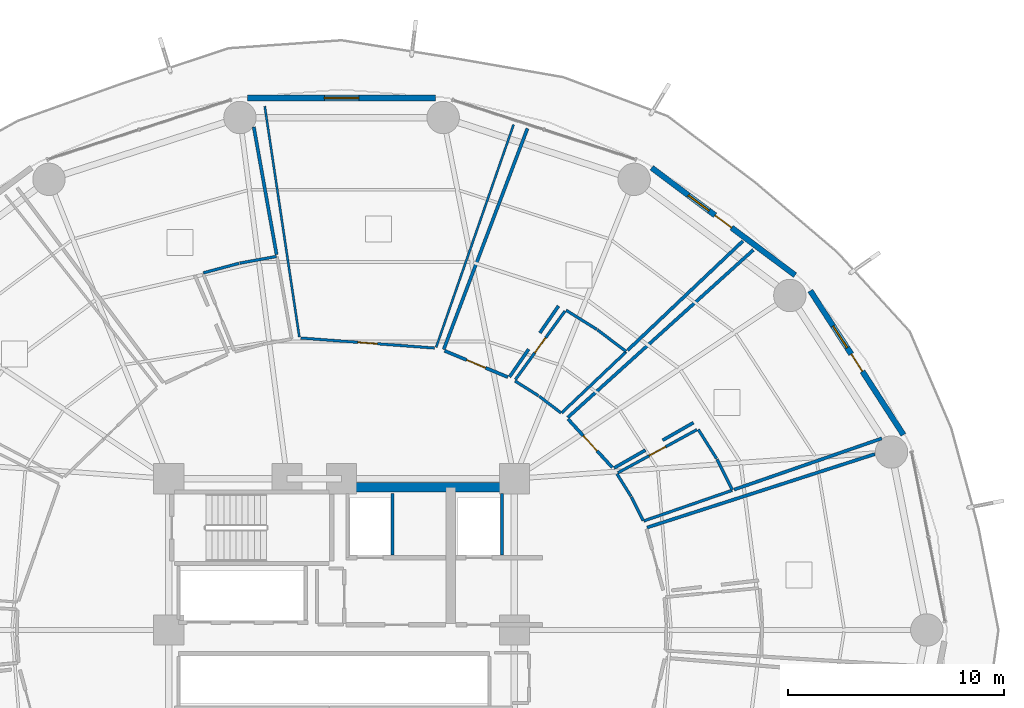
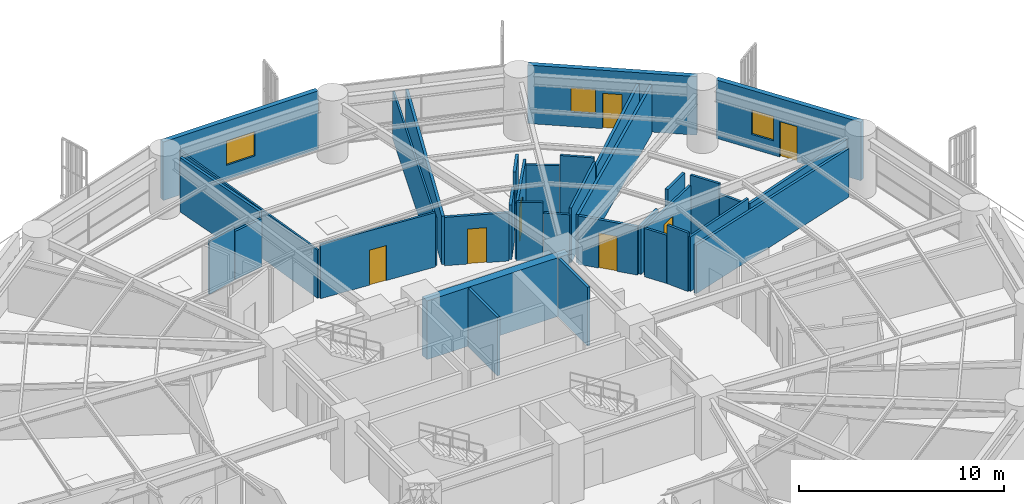
# One storey, part 25 of 31: 35 walls, 7 doors, 3 windows, 10 openings.
"""IFC4 building model written with IfcOpenShell, lengths in metres."""

from ifc_helpers import new_model, si_unit, direction, frame, frame_2d, origin, place, context, subcontext, project, spatial, rectangle, extrude, material, layer, layer_set, type_object, element, fill, save


model = new_model("IFC4")

# Units and contexts
model_context = context("Model", 3, precision=1e-05, world=origin(), true_north=direction((0.0, 1.0)))
body_context = subcontext(model_context, "Body", "Model", "MODEL_VIEW")
ifc_project = project(units=[si_unit("LENGTHUNIT", "METRE"), si_unit("AREAUNIT", "SQUARE_METRE"), si_unit("VOLUMEUNIT", "CUBIC_METRE"), si_unit("PLANEANGLEUNIT", "RADIAN"), si_unit("MASSUNIT", "GRAM", prefix="KILO")], contexts=[model_context])

# Site, building, storey
site_placement = place(None, origin())
site = spatial("IfcSite", under=ifc_project, at=site_placement, CompositionType="ELEMENT")
building_placement = place(site_placement, origin())
building = spatial("IfcBuilding", under=site, at=building_placement, Name="Kelanora Arch Commons", CompositionType="ELEMENT")
storey_placement = place(building_placement, frame((0.0, 0.0, 63.75)))
storey = spatial("IfcBuildingStorey", under=building, at=storey_placement, Name="L16", CompositionType="ELEMENT", Elevation=63.75)

# Walls
ifc_material_1 = material(Name="Autoclaved aerated concrete blockwork with fire plaster", Category="masonry")
ifc_layer_1 = layer(ifc_material_1, 0.14990234375)
ifc_layer_set_1 = layer_set([ifc_layer_1], Name="Autoclaved aerated concrete blockwork with fire plaster")
wall_type_1 = type_object("IfcWallType", Name="W-COMP-150", PredefinedType="PARTITIONING", material=ifc_layer_set_1)
for number, where, z_axis, x_axis, name in (
    (1, (76.360107421875, 61.47998046875, 0.0), (0.0, 0.0, 1.0), (0.0, 1.0, 0.0), "Firefighting Lift 1 East Shaft Wall L16"),
    (2, (81.419921875, 61.47998046875, 0.0), (0.0, 0.0, 1.0), (0.0, 1.0, 0.0), "Firefighting Lift 2 East Shaft Wall L16"),
):
    element("IfcWall", number, at=place(storey_placement, frame(where, z_axis=z_axis, x_axis=x_axis)), inside=storey, type_object=wall_type_1, Name=name, PredefinedType="PARTITIONING", context=body_context, shape_type="SweptSolid", body=[
        extrude(rectangle(XDim=2.840087890625, YDim=0.14990234375, at=frame_2d((1.419921875, 0.0))), origin(), (0.0, 0.0, 1.0), 3.47998046875),
    ])

# Wall, opening, door
wall_1_placement = place(storey_placement, frame((86.529541015625, 65.517333984375, 0.0), z_axis=(0.0, 0.0, 1.0), x_axis=(-0.674433052632, 0.738336005839, 0.0)))
wall_1 = element("IfcWall", 3, at=wall_1_placement, inside=storey, type_object=wall_type_1, Name="Co-Living Studio L16-01 Entry Partition", PredefinedType="PARTITIONING", context=body_context, shape_type="SweptSolid", body=[
    extrude(rectangle(XDim=3.041015625, YDim=0.14990234375, at=frame_2d((1.5205078125, 0.0))), origin(), (0.0, 0.0, 1.0), 2.875),
])
opening_1_placement = place(wall_1_placement, frame((1.0458984375, 0.0, 0.0)))
opening_1 = element("IfcOpeningElement", 4, at=opening_1_placement, cuts=wall_1, Name="Opening D-CLU1", PredefinedType="OPENING", context=body_context, shape_type="SweptSolid", body=[
    extrude(rectangle(XDim=0.949951171875, YDim=2.080078125, at=frame_2d((0.47509765625, 1.0400390625))), frame((0.0, 0.0849609375, 0.0), z_axis=(0.0, -1.0, 0.0), x_axis=(1.0, 0.0, 0.0)), (0.0, 0.0, 1.0), 0.169921875),
])
ifc_material_2 = material(Name="Solid-core acoustic timber cluster entry fire door", Category="wood")
door_type_1 = type_object("IfcDoorType", Name="D-CLU-95", OperationType="NOTDEFINED", PredefinedType="DOOR", material=ifc_material_2)
door_1_placement = place(opening_1_placement, origin())
door_1 = element("IfcDoor", 5, at=door_1_placement, inside=storey, type_object=door_type_1, Name="Co-Living Studio L16-01 Door", OperationType="SINGLE_SWING_LEFT", OverallHeight=2.080078125, OverallWidth=0.949951171875, PredefinedType="DOOR", context=body_context, shape_type="SweptSolid", body=[
    extrude(rectangle(XDim=0.949951171875, YDim=2.080078125, at=frame_2d((0.47509765625, 1.0400390625))), frame((0.0, 0.02490234375, 0.0), z_axis=(0.0, -1.0, 0.0), x_axis=(1.0, 0.0, 0.0)), (0.0, 0.0, 1.0), 0.050048828125),
])
fill(opening_1, door_1)

wall_2_placement = place(storey_placement, frame((81.693603515625, 69.7021484375, 0.0), z_axis=(0.0, 0.0, 1.0), x_axis=(-0.923245473314, 0.384210614124, 0.0)))
wall_2 = element("IfcWall", 6, at=wall_2_placement, inside=storey, type_object=wall_type_1, Name="Co-Living Studio L16-02 Entry Partition", PredefinedType="PARTITIONING", context=body_context, shape_type="SweptSolid", body=[
    extrude(rectangle(XDim=3.16943359375, YDim=0.14990234375, at=frame_2d((1.584716796875, 0.0))), origin(), (0.0, 0.0, 1.0), 2.875),
])
opening_2_placement = place(wall_2_placement, frame((1.110107421875, 0.0, 0.0)))
opening_2 = element("IfcOpeningElement", 7, at=opening_2_placement, cuts=wall_2, Name="Opening D-CLU1", PredefinedType="OPENING", context=body_context, shape_type="SweptSolid", body=[
    extrude(rectangle(XDim=0.949951171875, YDim=2.080078125, at=frame_2d((0.47509765625, 1.0400390625))), frame((0.0, 0.0849609375, 0.0), z_axis=(0.0, -1.0, 0.0), x_axis=(1.0, 0.0, 0.0)), (0.0, 0.0, 1.0), 0.169921875),
])
door_2_placement = place(opening_2_placement, origin())
door_2 = element("IfcDoor", 8, at=door_2_placement, inside=storey, type_object=door_type_1, Name="Co-Living Studio L16-02 Door", OperationType="SINGLE_SWING_LEFT", OverallHeight=2.080078125, OverallWidth=0.949951171875, PredefinedType="DOOR", context=body_context, shape_type="SweptSolid", body=[
    extrude(rectangle(XDim=0.949951171875, YDim=2.080078125, at=frame_2d((0.47509765625, 1.0400390625))), frame((0.0, 0.02490234375, 0.0), z_axis=(0.0, -1.0, 0.0), x_axis=(1.0, 0.0, 0.0)), (0.0, 0.0, 1.0), 0.050048828125),
])
fill(opening_2, door_2)

# Walls
wall_3_placement = place(storey_placement, frame((84.4677734375, 67.833740234375, 0.0), z_axis=(0.0, 0.0, 1.0), x_axis=(0.742191353367, 0.670188029577, 0.0)))
element("IfcWall", 9, at=wall_3_placement, inside=storey, type_object=wall_type_1, Name="Co-Living Studio L16-01 Enclosure Partition 2", PredefinedType="PARTITIONING", context=body_context, shape_type="SweptSolid", body=[
    extrude(rectangle(XDim=11.569091796875, YDim=0.14990234375, at=frame_2d((5.78466796875, 0.0))), origin(), (0.0, 0.0, 1.0), 2.875),
])
wall_4_placement = place(storey_placement, frame((98.992431640625, 66.863525390625, 0.0), z_axis=(0.0, 0.0, 1.0), x_axis=(-0.944826855148, -0.327570166212, 0.0)))
element("IfcWall", 10, at=wall_4_placement, inside=storey, type_object=wall_type_1, Name="Co-Living Studio L16-01 Enclosure Partition 5", PredefinedType="PARTITIONING", context=body_context, shape_type="SweptSolid", body=[
    extrude(rectangle(XDim=7.224365234375, YDim=0.14990234375, at=frame_2d((3.6123046875, 0.0))), origin(), (0.0, 0.0, 1.0), 2.875),
])
wall_5_placement = place(storey_placement, frame((90.283203125, 67.59423828125, 0.0), z_axis=(0.0, 0.0, 1.0), x_axis=(-0.868279787631, -0.496074803221, 0.0)))
element("IfcWall", 11, at=wall_5_placement, inside=storey, type_object=wall_type_1, Name="Co-Living Studio L16-01 Enclosure Partition 7", PredefinedType="PARTITIONING", context=body_context, shape_type="SweptSolid", body=[
    extrude(rectangle(XDim=1.639892578125, YDim=0.14990234375, at=frame_2d((0.81982421875, 0.0))), origin(), (0.0, 0.0, 1.0), 3.47998046875),
])
wall_6_placement = place(storey_placement, frame((88.060302734375, 66.32421875, 0.0), z_axis=(0.0, 0.0, 1.0), x_axis=(-0.86835963742, -0.495935016004, 0.0)))
element("IfcWall", 12, at=wall_6_placement, inside=storey, type_object=wall_type_1, Name="Co-Living Studio L16-01 Enclosure Partition 7", PredefinedType="PARTITIONING", context=body_context, shape_type="SweptSolid", body=[
    extrude(rectangle(XDim=1.67626953125, YDim=0.14990234375, at=frame_2d((0.838134765625, 0.0))), origin(), (0.0, 0.0, 1.0), 2.875),
])
wall_7_placement = place(storey_placement, frame((78.726318359375, 70.98046875, 0.0), z_axis=(0.0, 0.0, 1.0), x_axis=(0.354325845477, 0.935122021571, 0.0)))
element("IfcWall", 13, at=wall_7_placement, inside=storey, type_object=wall_type_1, Name="Co-Living Studio L16-02 Enclosure Partition 2", PredefinedType="PARTITIONING", context=body_context, shape_type="SweptSolid", body=[
    extrude(rectangle(XDim=10.937744140625, YDim=0.14990234375, at=frame_2d((5.46875, 0.0))), origin(), (0.0, 0.0, 1.0), 2.875),
])
wall_8_placement = place(storey_placement, frame((92.56689453125, 75.99658203125, 0.0), z_axis=(0.0, 0.0, 1.0), x_axis=(-0.725622707533, -0.688092789028, 0.0)))
element("IfcWall", 14, at=wall_8_placement, inside=storey, type_object=wall_type_1, Name="Co-Living Studio L16-02 Enclosure Partition 5", PredefinedType="PARTITIONING", context=body_context, shape_type="SweptSolid", body=[
    extrude(rectangle(XDim=7.350830078125, YDim=0.14990234375, at=frame_2d((3.67529296875, 0.0))), origin(), (0.0, 0.0, 1.0), 2.875),
])
wall_9_placement = place(storey_placement, frame((84.037353515625, 72.9921875, 0.0), z_axis=(0.0, 0.0, 1.0), x_axis=(-0.568328597461, -0.822801680424, 0.0)))
element("IfcWall", 15, at=wall_9_placement, inside=storey, type_object=wall_type_1, Name="Co-Living Studio L16-02 Enclosure Partition 7", PredefinedType="PARTITIONING", context=body_context, shape_type="SweptSolid", body=[
    extrude(rectangle(XDim=1.512939453125, YDim=0.14990234375, at=frame_2d((0.75634765625, 0.0))), origin(), (0.0, 0.0, 1.0), 3.47998046875),
])
wall_10_placement = place(storey_placement, frame((82.654541015625, 70.989990234375, 0.0), z_axis=(0.0, 0.0, 1.0), x_axis=(-0.568335150004, -0.822797154389, 0.0)))
element("IfcWall", 16, at=wall_10_placement, inside=storey, type_object=wall_type_1, Name="Co-Living Studio L16-02 Enclosure Partition 7", PredefinedType="PARTITIONING", context=body_context, shape_type="SweptSolid", body=[
    extrude(rectangle(XDim=1.55322265625, YDim=0.14990234375, at=frame_2d((0.776611328125, 0.0))), origin(), (0.0, 0.0, 1.0), 3.235107421875),
])
wall_11_placement = place(storey_placement, frame((69.938720703125, 81.278564453125, 0.0), z_axis=(0.0, 0.0, 1.0), x_axis=(0.175728719673, -0.98443863043, 0.0)))
element("IfcWall", 17, at=wall_11_placement, inside=storey, type_object=wall_type_1, Name="Co-Living Studio L16-04 Enclosure Partition 5", PredefinedType="PARTITIONING", context=body_context, shape_type="SweptSolid", body=[
    extrude(rectangle(XDim=6.004638671875, YDim=0.14990234375, at=frame_2d((3.00244140625, 0.0))), origin(), (0.0, 0.0, 1.0), 3.235107421875),
])
wall_12_placement = place(storey_placement, frame((88.134033203125, 62.7412109375, 0.0), z_axis=(0.0, 0.0, 1.0), x_axis=(0.951774856366, 0.30679736438, 0.0)))
element("IfcWall", 18, at=wall_12_placement, inside=storey, type_object=wall_type_1, Name="Co-Living Studio L16-14 Enclosure Partition 2", PredefinedType="PARTITIONING", context=body_context, shape_type="SweptSolid", body=[
    extrude(rectangle(XDim=11.077880859375, YDim=0.14990234375, at=frame_2d((5.5390625, 0.0))), origin(), (0.0, 0.0, 1.0), 2.875),
])
ifc_material_3 = material(Name="Concrete C60/75", Category="concrete")
ifc_layer_2 = layer(ifc_material_3, 0.449951171875)
ifc_layer_set_2 = layer_set([ifc_layer_2], Name="Concrete C60/75")
wall_type_2 = type_object("IfcWallType", Name="W-CORE-450", PredefinedType="SHEAR", material=ifc_layer_set_2)
wall_13_placement = place(storey_placement, frame((74.0, 64.60009765625, 0.0), z_axis=(0.0, 0.0, 1.0), x_axis=(1.0, 0.0, 0.0)))
element("IfcWall", 19, at=wall_13_placement, inside=storey, type_object=wall_type_2, Name="Core Shear Spine L16-CN-E", PredefinedType="SHEAR", context=body_context, shape_type="SweptSolid", body=[
    extrude(rectangle(XDim=8.0, YDim=0.449951171875, at=frame_2d((4.0, 0.0))), origin(), (0.0, 0.0, 1.0), 3.489990234375),
])

# Wall, openings, door, window
ifc_material_4 = material(Name="Precast concrete C40/50 with terracotta rainscreen", Category="masonry")
ifc_layer_3 = layer(ifc_material_4, 0.260009765625)
ifc_layer_set_3 = layer_set([ifc_layer_3], Name="Precast concrete C40/50 with terracotta rainscreen")
wall_type_3 = type_object("IfcWallType", Name="W-EXT-TC", PredefinedType="SOLIDWALL", material=ifc_layer_set_3)
wall_14_placement = place(storey_placement, frame((99.999267578125, 67.033203125, 0.0), z_axis=(0.0, 0.0, 1.0), x_axis=(-0.543005114258, 0.839729388488, 0.0)))
wall_14 = element("IfcWall", 20, at=wall_14_placement, inside=storey, type_object=wall_type_3, Name="Terracotta Exterior Wall L16-B01", PredefinedType="SOLIDWALL", context=body_context, shape_type="SweptSolid", body=[
    extrude(rectangle(XDim=7.9375, YDim=0.260009765625, at=frame_2d((3.96875, 0.0))), origin(), (0.0, 0.0, 1.0), 3.47509765625),
])
opening_3_placement = place(wall_14_placement, frame((3.493896484375, 0.0, 0.0)))
opening_3 = element("IfcOpeningElement", 21, at=opening_3_placement, cuts=wall_14, Name="Opening DB-01", PredefinedType="OPENING", context=body_context, shape_type="SweptSolid", body=[
    extrude(rectangle(XDim=0.949951171875, YDim=2.10009765625, at=frame_2d((0.47509765625, 1.050048828125))), frame((0.0, 0.14013671875, 0.0), z_axis=(0.0, -1.0, 0.0), x_axis=(1.0, 0.0, 0.0)), (0.0, 0.0, 1.0), 0.280029296875),
])
opening_4_placement = place(wall_14_placement, frame((4.7939453125, 0.0, 0.85009765625)))
opening_4 = element("IfcOpeningElement", 22, at=opening_4_placement, cuts=wall_14, Name="Opening WN-02", PredefinedType="OPENING", context=body_context, shape_type="SweptSolid", body=[
    extrude(rectangle(XDim=1.199951171875, YDim=1.449951171875, at=frame_2d((0.60009765625, 0.72509765625))), frame((0.0, 0.14013671875, 0.0), z_axis=(0.0, -1.0, 0.0), x_axis=(1.0, 0.0, 0.0)), (0.0, 0.0, 1.0), 0.280029296875),
])
ifc_material_5 = material(Name="Terracotta-aluminium thermally broken glazed balcony door", Category="masonry")
door_type_2 = type_object("IfcDoorType", Name="D-BAL-10", OperationType="NOTDEFINED", PredefinedType="DOOR", material=ifc_material_5)
door_3_placement = place(opening_3_placement, frame((0.949951171875, 0.0, 0.0), z_axis=(0.0, 0.0, 1.0), x_axis=(-1.0, 0.0, 0.0)))
door_3 = element("IfcDoor", 23, at=door_3_placement, inside=storey, type_object=door_type_2, Name="Wave Balcony Door L16-B01", OperationType="SINGLE_SWING_RIGHT", OverallHeight=2.10009765625, OverallWidth=0.949951171875, PredefinedType="DOOR", context=body_context, shape_type="SweptSolid", body=[
    extrude(rectangle(XDim=0.949951171875, YDim=2.10009765625, at=frame_2d((0.47509765625, 1.050048828125))), frame((0.0, 0.02490234375, 0.0), z_axis=(0.0, -1.0, 0.0), x_axis=(1.0, 0.0, 0.0)), (0.0, 0.0, 1.0), 0.050048828125),
])
fill(opening_3, door_3)
ifc_material_6 = material(Name="Terracotta-anodised aluminium frame with operable awning sash", Category="masonry")
window_type_1 = type_object("IfcWindowType", Name="WIN-CL-12", PartitioningType="SINGLE_PANEL", PredefinedType="WINDOW", material=ifc_material_6)
window_1_placement = place(opening_4_placement, origin())
window_1 = element("IfcWindow", 24, at=window_1_placement, inside=storey, type_object=window_type_1, Name="Co-Living Operable Window L16-B01", OverallHeight=1.449951171875, OverallWidth=1.199951171875, PartitioningType="SINGLE_PANEL", PredefinedType="WINDOW", context=body_context, shape_type="SweptSolid", body=[
    extrude(rectangle(XDim=1.199951171875, YDim=1.449951171875, at=frame_2d((0.60009765625, 0.72509765625))), frame((0.0, 0.030029296875, 0.0), z_axis=(0.0, -1.0, 0.0), x_axis=(1.0, 0.0, 0.0)), (0.0, 0.0, 1.0), 0.06005859375),
])
fill(opening_4, window_1)

wall_15_placement = place(storey_placement, frame((94.98388671875, 74.418212890625, 0.0), z_axis=(0.0, 0.0, 1.0), x_axis=(-0.80030733173, 0.599590005569, 0.0)))
wall_15 = element("IfcWall", 25, at=wall_15_placement, inside=storey, type_object=wall_type_3, Name="Terracotta Exterior Wall L16-B02", PredefinedType="SOLIDWALL", context=body_context, shape_type="SweptSolid", body=[
    extrude(rectangle(XDim=8.29052734375, YDim=0.260009765625, at=frame_2d((4.145263671875, 0.0))), origin(), (0.0, 0.0, 1.0), 3.47509765625),
])
opening_5_placement = place(wall_15_placement, frame((3.669921875, 0.0, 0.0)))
opening_5 = element("IfcOpeningElement", 26, at=opening_5_placement, cuts=wall_15, Name="Opening DB-01", PredefinedType="OPENING", context=body_context, shape_type="SweptSolid", body=[
    extrude(rectangle(XDim=0.949951171875, YDim=2.10009765625, at=frame_2d((0.47509765625, 1.050048828125))), frame((0.0, 0.14013671875, 0.0), z_axis=(0.0, -1.0, 0.0), x_axis=(1.0, 0.0, 0.0)), (0.0, 0.0, 1.0), 0.280029296875),
])
opening_6_placement = place(wall_15_placement, frame((4.969970703125, 0.0, 0.85009765625)))
opening_6 = element("IfcOpeningElement", 27, at=opening_6_placement, cuts=wall_15, Name="Opening WN-02", PredefinedType="OPENING", context=body_context, shape_type="SweptSolid", body=[
    extrude(rectangle(XDim=1.199951171875, YDim=1.449951171875, at=frame_2d((0.60009765625, 0.72509765625))), frame((0.0, 0.14013671875, 0.0), z_axis=(0.0, -1.0, 0.0), x_axis=(1.0, 0.0, 0.0)), (0.0, 0.0, 1.0), 0.280029296875),
])
door_4_placement = place(opening_5_placement, frame((0.949951171875, 0.0, 0.0), z_axis=(0.0, 0.0, 1.0), x_axis=(-1.0, 0.0, 0.0)))
door_4 = element("IfcDoor", 28, at=door_4_placement, inside=storey, type_object=door_type_2, Name="Wave Balcony Door L16-B02", OperationType="SINGLE_SWING_LEFT", OverallHeight=2.10009765625, OverallWidth=0.949951171875, PredefinedType="DOOR", context=body_context, shape_type="SweptSolid", body=[
    extrude(rectangle(XDim=0.949951171875, YDim=2.10009765625, at=frame_2d((0.47509765625, 1.050048828125))), frame((0.0, 0.02490234375, 0.0), z_axis=(0.0, -1.0, 0.0), x_axis=(1.0, 0.0, 0.0)), (0.0, 0.0, 1.0), 0.050048828125),
])
fill(opening_5, door_4)
window_2_placement = place(opening_6_placement, origin())
window_2 = element("IfcWindow", 29, at=window_2_placement, inside=storey, type_object=window_type_1, Name="Co-Living Operable Window L16-B02", OverallHeight=1.449951171875, OverallWidth=1.199951171875, PartitioningType="SINGLE_PANEL", PredefinedType="WINDOW", context=body_context, shape_type="SweptSolid", body=[
    extrude(rectangle(XDim=1.199951171875, YDim=1.449951171875, at=frame_2d((0.60009765625, 0.72509765625))), frame((0.0, 0.030029296875, 0.0), z_axis=(0.0, -1.0, 0.0), x_axis=(1.0, 0.0, 0.0)), (0.0, 0.0, 1.0), 0.06005859375),
])
fill(opening_6, window_2)

# Wall, opening, window
wall_16_placement = place(storey_placement, frame((78.35595703125, 82.6201171875, 0.0), z_axis=(0.0, 0.0, 1.0), x_axis=(-1.0, 0.0, 0.0)))
wall_16 = element("IfcWall", 30, at=wall_16_placement, inside=storey, type_object=wall_type_3, Name="Terracotta Exterior Wall L16-B04", PredefinedType="SOLIDWALL", context=body_context, shape_type="SweptSolid", body=[
    extrude(rectangle(XDim=8.7119140625, YDim=0.260009765625, at=frame_2d((4.35595703125, 0.0))), origin(), (0.0, 0.0, 1.0), 3.47509765625),
])
opening_7_placement = place(wall_16_placement, frame((3.555908203125, 0.0, 0.85009765625)))
opening_7 = element("IfcOpeningElement", 31, at=opening_7_placement, cuts=wall_16, Name="Opening WN-01", PredefinedType="OPENING", context=body_context, shape_type="SweptSolid", body=[
    extrude(rectangle(XDim=1.60009765625, YDim=1.449951171875, at=frame_2d((0.800048828125, 0.72509765625))), frame((0.0, 0.14013671875, 0.0), z_axis=(0.0, -1.0, 0.0), x_axis=(1.0, 0.0, 0.0)), (0.0, 0.0, 1.0), 0.280029296875),
])
ifc_material_7 = material(Name="Terracotta-anodised aluminium frame with operable low-E glazing", Category="masonry")
window_type_2 = type_object("IfcWindowType", Name="WIN-CL-18", PartitioningType="DOUBLE_PANEL_VERTICAL", PredefinedType="WINDOW", material=ifc_material_7)
window_3_placement = place(opening_7_placement, origin())
window_3 = element("IfcWindow", 32, at=window_3_placement, inside=storey, type_object=window_type_2, Name="Co-Living Operable Window L16-B04", OverallHeight=1.449951171875, OverallWidth=1.60009765625, PartitioningType="SINGLE_PANEL", PredefinedType="WINDOW", context=body_context, shape_type="SweptSolid", body=[
    extrude(rectangle(XDim=1.60009765625, YDim=1.449951171875, at=frame_2d((0.800048828125, 0.72509765625))), frame((0.0, 0.030029296875, 0.0), z_axis=(0.0, -1.0, 0.0), x_axis=(1.0, 0.0, 0.0)), (0.0, 0.0, 1.0), 0.06005859375),
])
fill(opening_7, window_3)

# Walls
ifc_material_8 = material(Name="Lightweight fire-rated acoustic stud partition")
ifc_layer_4 = layer(ifc_material_8, 0.10009765625)
ifc_layer_set_4 = layer_set([ifc_layer_4], Name="Lightweight fire-rated acoustic stud partition")
wall_type_4 = type_object("IfcWallType", Name="W-PART-100", PredefinedType="PARTITIONING", material=ifc_layer_set_4)
wall_17_placement = place(storey_placement, frame((72.047119140625, 71.5546875, 0.0), z_axis=(0.0, 0.0, 1.0), x_axis=(-0.148282966471, 0.988944974129, 0.0)))
element("IfcWall", 33, at=wall_17_placement, inside=storey, type_object=wall_type_4, Name="Communal Dining and Social Hall L16-03 Enclosure Partition 2", PredefinedType="PARTITIONING", context=body_context, shape_type="SweptSolid", body=[
    extrude(rectangle(XDim=10.799072265625, YDim=0.10009765625, at=frame_2d((5.3994140625, 0.0))), origin(), (0.0, 0.0, 1.0), 2.875),
])
wall_18_placement = place(storey_placement, frame((81.9619140625, 81.38818359375, 0.0), z_axis=(0.0, 0.0, 1.0), x_axis=(-0.328662915274, -0.944447292401, 0.0)))
element("IfcWall", 34, at=wall_18_placement, inside=storey, type_object=wall_type_4, Name="Communal Dining and Social Hall L16-03 Enclosure Partition 4", PredefinedType="PARTITIONING", context=body_context, shape_type="SweptSolid", body=[
    extrude(rectangle(XDim=10.91357421875, YDim=0.10009765625, at=frame_2d((5.456787109375, 0.0))), origin(), (0.0, 0.0, 1.0), 2.875),
])

# Wall, opening, door
ifc_material_9 = material(Name="Acoustic twin-stud fire-rated gypsum partition")
ifc_layer_5 = layer(ifc_material_9, 0.1201171875)
ifc_layer_set_5 = layer_set([ifc_layer_5], Name="Acoustic twin-stud fire-rated gypsum partition")
wall_type_5 = type_object("IfcWallType", Name="W-PART-120", PredefinedType="PARTITIONING", material=ifc_layer_set_5)
wall_19_placement = place(storey_placement, frame((78.30224609375, 71.047607421875, 0.0), z_axis=(0.0, 0.0, 1.0), x_axis=(-0.997215128993, 0.074578726908, 0.0)))
wall_19 = element("IfcWall", 35, at=wall_19_placement, inside=storey, type_object=wall_type_5, Name="Communal Dining and Social Hall L16-03 Entry Partition", PredefinedType="PARTITIONING", context=body_context, shape_type="SweptSolid", body=[
    extrude(rectangle(XDim=6.206787109375, YDim=0.1201171875, at=frame_2d((3.103515625, 0.0))), origin(), (0.0, 0.0, 1.0), 3.235107421875),
])
opening_8_placement = place(wall_19_placement, frame((2.653076171875, 0.0, 0.0)))
opening_8 = element("IfcOpeningElement", 36, at=opening_8_placement, cuts=wall_19, Name="Opening D-RM1", PredefinedType="OPENING", context=body_context, shape_type="SweptSolid", body=[
    extrude(rectangle(XDim=0.89990234375, YDim=2.080078125, at=frame_2d((0.449951171875, 1.0400390625))), frame((0.0, 0.070068359375, 0.0), z_axis=(0.0, -1.0, 0.0), x_axis=(1.0, 0.0, 0.0)), (0.0, 0.0, 1.0), 0.14013671875),
])
ifc_material_10 = material(Name="Acoustic fire-rated timber study and lounge door", Category="wood")
door_type_3 = type_object("IfcDoorType", Name="D-ROOM-90", OperationType="NOTDEFINED", PredefinedType="DOOR", material=ifc_material_10)
door_5_placement = place(opening_8_placement, origin())
door_5 = element("IfcDoor", 37, at=door_5_placement, inside=storey, type_object=door_type_3, Name="Communal Dining and Social Hall L16-03 Door", OperationType="SINGLE_SWING_RIGHT", OverallHeight=2.080078125, OverallWidth=0.89990234375, PredefinedType="DOOR", context=body_context, shape_type="SweptSolid", body=[
    extrude(rectangle(XDim=0.89990234375, YDim=2.080078125, at=frame_2d((0.449951171875, 1.0400390625))), frame((0.0, 0.02490234375, 0.0), z_axis=(0.0, -1.0, 0.0), x_axis=(1.0, 0.0, 0.0)), (0.0, 0.0, 1.0), 0.050048828125),
])
fill(opening_8, door_5)

ifc_material_11 = material(Name="Moisture-resistant fire-rated cement-board plumbing wall")
ifc_layer_6 = layer(ifc_material_11, 0.1298828125)
ifc_layer_set_6 = layer_set([ifc_layer_6], Name="Moisture-resistant fire-rated cement-board plumbing wall")
wall_type_6 = type_object("IfcWallType", Name="W-WET-120", PredefinedType="PLUMBINGWALL", material=ifc_layer_set_6)
wall_20_placement = place(storey_placement, frame((86.78466796875, 65.271728515625, 0.0), z_axis=(0.0, 0.0, 1.0), x_axis=(0.877747757983, 0.479123025283, 0.0)))
wall_20 = element("IfcWall", 38, at=wall_20_placement, inside=storey, type_object=wall_type_6, Name="En-Suite Shower WC L16-01 Entry Partition", PredefinedType="PLUMBINGWALL", context=body_context, shape_type="SweptSolid", body=[
    extrude(rectangle(XDim=4.167236328125, YDim=0.1298828125, at=frame_2d((2.08349609375, 0.0))), origin(), (0.0, 0.0, 1.0), 2.875),
])
opening_9_placement = place(wall_20_placement, frame((1.654052734375, 0.0, 0.0)))
opening_9 = element("IfcOpeningElement", 39, at=opening_9_placement, cuts=wall_20, Name="Opening D-BT1", PredefinedType="OPENING", context=body_context, shape_type="SweptSolid", body=[
    extrude(rectangle(XDim=0.860107421875, YDim=2.050048828125, at=frame_2d((0.43017578125, 1.02490234375))), frame((0.0, 0.074951171875, 0.0), z_axis=(0.0, -1.0, 0.0), x_axis=(1.0, 0.0, 0.0)), (0.0, 0.0, 1.0), 0.14990234375),
])
ifc_material_12 = material(Name="Moisture-sealed fire-rated accessible bathroom door")
door_type_4 = type_object("IfcDoorType", Name="D-BATH-85", OperationType="NOTDEFINED", PredefinedType="DOOR", material=ifc_material_12)
door_6_placement = place(opening_9_placement, origin())
door_6 = element("IfcDoor", 40, at=door_6_placement, inside=storey, type_object=door_type_4, Name="En-Suite Shower WC L16-01 Door", OperationType="SINGLE_SWING_RIGHT", OverallHeight=2.050048828125, OverallWidth=0.860107421875, PredefinedType="DOOR", context=body_context, shape_type="SweptSolid", body=[
    extrude(rectangle(XDim=0.860107421875, YDim=2.050048828125, at=frame_2d((0.43017578125, 1.02490234375))), frame((0.0, 0.02490234375, 0.0), z_axis=(0.0, -1.0, 0.0), x_axis=(1.0, 0.0, 0.0)), (0.0, 0.0, 1.0), 0.050048828125),
])
fill(opening_9, door_6)

wall_21_placement = place(storey_placement, frame((82.041259765625, 69.58349609375, 0.0), z_axis=(0.0, 0.0, 1.0), x_axis=(0.586113694769, 0.810228817559, 0.0)))
wall_21 = element("IfcWall", 41, at=wall_21_placement, inside=storey, type_object=wall_type_6, Name="En-Suite Shower WC L16-02 Entry Partition", PredefinedType="PLUMBINGWALL", context=body_context, shape_type="SweptSolid", body=[
    extrude(rectangle(XDim=3.91845703125, YDim=0.1298828125, at=frame_2d((1.959228515625, 0.0))), origin(), (0.0, 0.0, 1.0), 3.235107421875),
])
opening_10_placement = place(wall_21_placement, frame((1.529052734375, 0.0, 0.0)))
opening_10 = element("IfcOpeningElement", 42, at=opening_10_placement, cuts=wall_21, Name="Opening D-BT1", PredefinedType="OPENING", context=body_context, shape_type="SweptSolid", body=[
    extrude(rectangle(XDim=0.860107421875, YDim=2.050048828125, at=frame_2d((0.43017578125, 1.02490234375))), frame((0.0, 0.074951171875, 0.0), z_axis=(0.0, -1.0, 0.0), x_axis=(1.0, 0.0, 0.0)), (0.0, 0.0, 1.0), 0.14990234375),
])
door_7_placement = place(opening_10_placement, origin())
door_7 = element("IfcDoor", 43, at=door_7_placement, inside=storey, type_object=door_type_4, Name="En-Suite Shower WC L16-02 Door", OperationType="SINGLE_SWING_RIGHT", OverallHeight=2.050048828125, OverallWidth=0.860107421875, PredefinedType="DOOR", context=body_context, shape_type="SweptSolid", body=[
    extrude(rectangle(XDim=0.860107421875, YDim=2.050048828125, at=frame_2d((0.43017578125, 1.02490234375))), frame((0.0, 0.02490234375, 0.0), z_axis=(0.0, -1.0, 0.0), x_axis=(1.0, 0.0, 0.0)), (0.0, 0.0, 1.0), 0.050048828125),
])
fill(opening_10, door_7)

# Walls
wall_22_placement = place(storey_placement, frame((87.9560546875, 63.057861328125, 0.0), z_axis=(0.0, 0.0, 1.0), x_axis=(-0.445610682281, 0.895226853841, 0.0)))
element("IfcWall", 44, at=wall_22_placement, inside=storey, type_object=wall_type_6, Name="En-Suite Shower WC L16-01 Enclosure Partition 1", PredefinedType="PLUMBINGWALL", context=body_context, shape_type="SweptSolid", body=[
    extrude(rectangle(XDim=1.218994140625, YDim=0.1298828125, at=frame_2d((0.609375, 0.0))), origin(), (0.0, 0.0, 1.0), 3.47998046875),
])
wall_23_placement = place(storey_placement, frame((87.393310546875, 64.18408203125, 0.0), z_axis=(0.0, 0.0, 1.0), x_axis=(-0.5296416079, 0.848221531901, 0.0)))
element("IfcWall", 45, at=wall_23_placement, inside=storey, type_object=wall_type_6, Name="En-Suite Shower WC L16-01 Enclosure Partition 2", PredefinedType="PLUMBINGWALL", context=body_context, shape_type="SweptSolid", body=[
    extrude(rectangle(XDim=1.228515625, YDim=0.1298828125, at=frame_2d((0.6142578125, 0.0))), origin(), (0.0, 0.0, 1.0), 2.875),
])
wall_24_placement = place(storey_placement, frame((90.505615234375, 67.280029296875, 0.0), z_axis=(0.0, 0.0, 1.0), x_axis=(0.533000334155, -0.846115029881, 0.0)))
element("IfcWall", 46, at=wall_24_placement, inside=storey, type_object=wall_type_6, Name="En-Suite Shower WC L16-01 Enclosure Partition 4", PredefinedType="PLUMBINGWALL", context=body_context, shape_type="SweptSolid", body=[
    extrude(rectangle(XDim=1.59228515625, YDim=0.1298828125, at=frame_2d((0.796142578125, 0.0))), origin(), (0.0, 0.0, 1.0), 3.47998046875),
])
wall_25_placement = place(storey_placement, frame((91.3740234375, 65.898193359375, 0.0), z_axis=(0.0, 0.0, 1.0), x_axis=(0.448882213202, -0.893590934752, 0.0)))
element("IfcWall", 47, at=wall_25_placement, inside=storey, type_object=wall_type_6, Name="En-Suite Shower WC L16-01 Enclosure Partition 5", PredefinedType="PLUMBINGWALL", context=body_context, shape_type="SweptSolid", body=[
    extrude(rectangle(XDim=1.579345703125, YDim=0.1298828125, at=frame_2d((0.78955078125, 0.0))), origin(), (0.0, 0.0, 1.0), 2.875),
])
wall_26_placement = place(storey_placement, frame((92.072998046875, 64.46240234375, 0.0), z_axis=(0.0, 0.0, 1.0), x_axis=(-0.944946491884, -0.327224888228, 0.0)))
element("IfcWall", 48, at=wall_26_placement, inside=storey, type_object=wall_type_6, Name="En-Suite Shower WC L16-01 Enclosure Partition 6", PredefinedType="PLUMBINGWALL", context=body_context, shape_type="SweptSolid", body=[
    extrude(rectangle(XDim=4.327392578125, YDim=0.1298828125, at=frame_2d((2.16357421875, 0.0))), origin(), (0.0, 0.0, 1.0), 3.235107421875),
])
wall_27_placement = place(storey_placement, frame((84.155029296875, 68.047119140625, 0.0), z_axis=(0.0, 0.0, 1.0), x_axis=(-0.795884944477, 0.605447896317, 0.0)))
element("IfcWall", 49, at=wall_27_placement, inside=storey, type_object=wall_type_6, Name="En-Suite Shower WC L16-02 Enclosure Partition 1", PredefinedType="PLUMBINGWALL", context=body_context, shape_type="SweptSolid", body=[
    extrude(rectangle(XDim=1.27294921875, YDim=0.1298828125, at=frame_2d((0.636474609375, 0.0))), origin(), (0.0, 0.0, 1.0), 2.875),
])
wall_28_placement = place(storey_placement, frame((83.109130859375, 68.8408203125, 0.0), z_axis=(0.0, 0.0, 1.0), x_axis=(-0.846337656307, 0.532646760544, 0.0)))
element("IfcWall", 50, at=wall_28_placement, inside=storey, type_object=wall_type_6, Name="En-Suite Shower WC L16-02 Enclosure Partition 2", PredefinedType="PLUMBINGWALL", context=body_context, shape_type="SweptSolid", body=[
    extrude(rectangle(XDim=1.283447265625, YDim=0.1298828125, at=frame_2d((0.6416015625, 0.0))), origin(), (0.0, 0.0, 1.0), 3.47998046875),
])
wall_29_placement = place(storey_placement, frame((84.389892578125, 72.79638671875, 0.0), z_axis=(0.0, 0.0, 1.0), x_axis=(0.848326822388, -0.529472947766, 0.0)))
element("IfcWall", 51, at=wall_29_placement, inside=storey, type_object=wall_type_6, Name="En-Suite Shower WC L16-02 Enclosure Partition 4", PredefinedType="PLUMBINGWALL", context=body_context, shape_type="SweptSolid", body=[
    extrude(rectangle(XDim=1.669189453125, YDim=0.1298828125, at=frame_2d((0.83447265625, 0.0))), origin(), (0.0, 0.0, 1.0), 2.875),
])
wall_30_placement = place(storey_placement, frame((85.839111328125, 71.889892578125, 0.0), z_axis=(0.0, 0.0, 1.0), x_axis=(0.798688091321, -0.601745239102, 0.0)))
element("IfcWall", 52, at=wall_30_placement, inside=storey, type_object=wall_type_6, Name="En-Suite Shower WC L16-02 Enclosure Partition 5", PredefinedType="PLUMBINGWALL", context=body_context, shape_type="SweptSolid", body=[
    extrude(rectangle(XDim=1.655029296875, YDim=0.1298828125, at=frame_2d((0.82763671875, 0.0))), origin(), (0.0, 0.0, 1.0), 3.47998046875),
])
wall_31_placement = place(storey_placement, frame((87.16259765625, 70.8681640625, 0.0), z_axis=(0.0, 0.0, 1.0), x_axis=(-0.726077844379, -0.687612509996, 0.0)))
element("IfcWall", 53, at=wall_31_placement, inside=storey, type_object=wall_type_6, Name="En-Suite Shower WC L16-02 Enclosure Partition 6", PredefinedType="PLUMBINGWALL", context=body_context, shape_type="SweptSolid", body=[
    extrude(rectangle(XDim=4.10009765625, YDim=0.1298828125, at=frame_2d((2.050048828125, 0.0))), origin(), (0.0, 0.0, 1.0), 3.235107421875),
])
wall_32_placement = place(storey_placement, frame((67.602294921875, 74.524169921875, 0.0), z_axis=(0.0, 0.0, 1.0), x_axis=(0.96583848403, 0.259144791123, 0.0)))
element("IfcWall", 54, at=wall_32_placement, inside=storey, type_object=wall_type_6, Name="En-Suite Shower WC L16-04 Enclosure Partition 4", PredefinedType="PLUMBINGWALL", context=body_context, shape_type="SweptSolid", body=[
    extrude(rectangle(XDim=1.7119140625, YDim=0.1298828125, at=frame_2d((0.85595703125, 0.0))), origin(), (0.0, 0.0, 1.0), 3.175048828125),
])
wall_33_placement = place(storey_placement, frame((69.294677734375, 74.9765625, 0.0), z_axis=(0.0, 0.0, 1.0), x_axis=(0.983858555359, 0.178947878019, 0.0)))
element("IfcWall", 55, at=wall_33_placement, inside=storey, type_object=wall_type_6, Name="En-Suite Shower WC L16-04 Enclosure Partition 5", PredefinedType="PLUMBINGWALL", context=body_context, shape_type="SweptSolid", body=[
    extrude(rectangle(XDim=1.720458984375, YDim=0.1298828125, at=frame_2d((0.8603515625, 0.0))), origin(), (0.0, 0.0, 1.0), 2.875),
])

save(model, "model.ifc")
